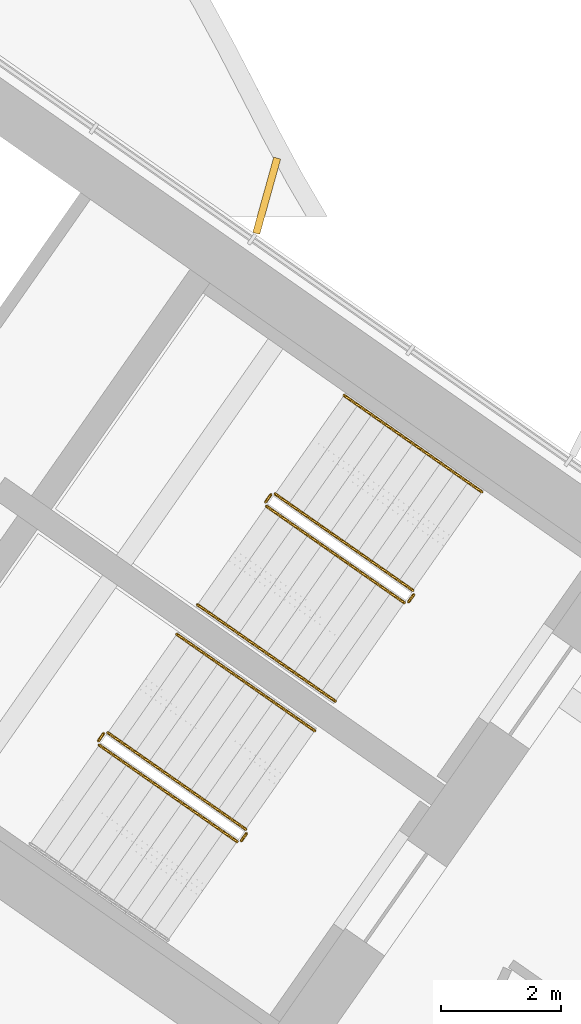
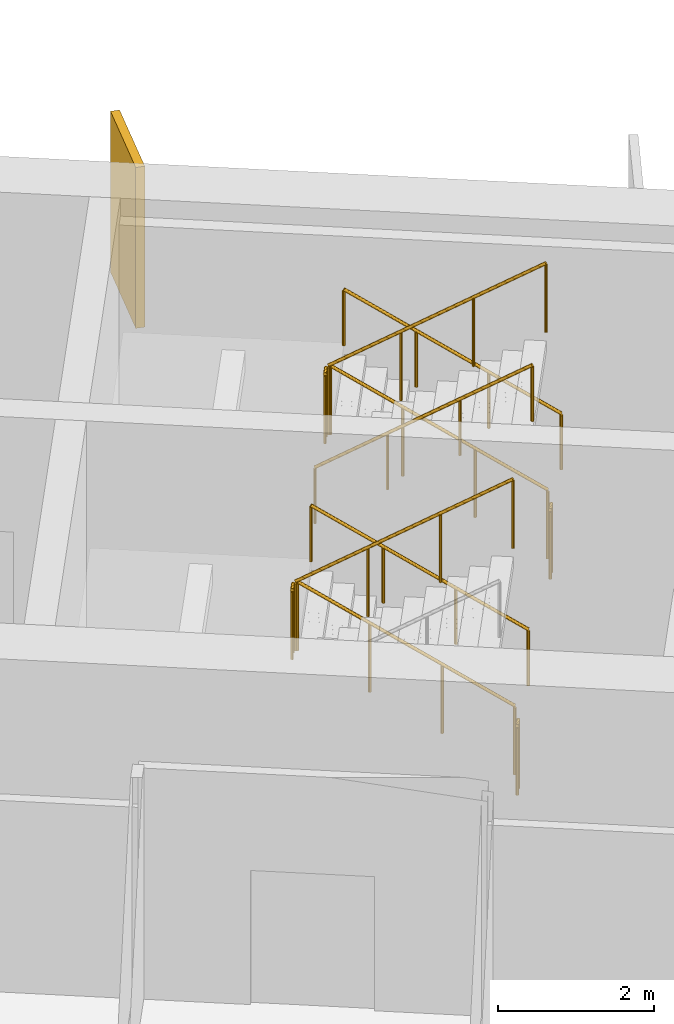
# One storey, part 22 of 23: 11 railings, 1 shading device.
"""IFC4 building model written with IfcOpenShell, lengths in metres."""

from ifc_helpers import new_model, si_unit, direction, frame, origin, origin_2d, place, context, subcontext, project, spatial, rectangle, circle, extrude, material, layer, layer_set, type_object, element, save


model = new_model("IFC4")

# Units and contexts
model_context = context("Model", 3, precision=1e-05, world=origin(), true_north=direction((0.0, 1.0)))
body_context = subcontext(model_context, "Body", "Model", "MODEL_VIEW")
ifc_project = project(units=[si_unit("LENGTHUNIT", "METRE"), si_unit("AREAUNIT", "SQUARE_METRE"), si_unit("VOLUMEUNIT", "CUBIC_METRE"), si_unit("PLANEANGLEUNIT", "RADIAN"), si_unit("MASSUNIT", "GRAM", prefix="KILO")], contexts=[model_context])

# Site, building, storey
site_placement = place(None, origin())
site = spatial("IfcSite", under=ifc_project, at=site_placement, CompositionType="ELEMENT")
building_placement = place(site_placement, origin())
building = spatial("IfcBuilding", under=site, at=building_placement, Name="Tel Ilan Convention Tower", CompositionType="ELEMENT")
storey_placement = place(building_placement, frame((0.0, 0.0, 194.39990234375)))
storey = spatial("IfcBuildingStorey", under=building, at=storey_placement, Name="L45", CompositionType="ELEMENT", Elevation=194.39990234375)

# Shading device
ifc_material_1 = material(Name="Aluminium, bronze anodised", Category="aluminium")
ifc_layer = layer(ifc_material_1, 0.1201171875)
ifc_layer_set = layer_set([ifc_layer], Name="FIN BRONZE 1300x120")
shading_device_type = type_object("IfcShadingDeviceType", Name="FIN BRONZE 1300x120", PredefinedType="USERDEFINED", material=ifc_layer_set)
shading_device_placement = place(storey_placement, frame((21.246337890625, -1.286865234375, 1.10009765625), z_axis=(0.0, 0.0, 1.0), x_axis=(0.268172612768, 0.963370878614, 0.0)))
element("IfcShadingDevice", 1, at=shading_device_placement, inside=storey, type_object=shading_device_type, Name="FIN", ObjectType="FIN", PredefinedType="USERDEFINED", context=body_context, shape_type="SweptSolid", body=[
    extrude(rectangle(XDim=1.300048828125, YDim=0.1201171875, at=origin_2d()), origin(), (0.0, 0.0, 1.0), 2.52001953125),
])

# Railings
ifc_material_2 = material(Name="Stainless Steel Grade 316", Category="steel")
railing_type_1 = type_object("IfcRailingType", Name="Stainless Steel Stair Guard 1100 mm", PredefinedType="GUARDRAIL", material=ifc_material_2)
railing_1_placement = place(storey_placement, frame((23.6787109375, -7.8515625, 0.177490234375)))
element("IfcRailing", 2, at=railing_1_placement, inside=storey, type_object=railing_type_1, Name="L45 S3 stair guard 1", PredefinedType="GUARDRAIL", context=body_context, shape_type="SweptSolid", body=[
    extrude(circle(Radius=0.02392578125, at=origin_2d()), frame((0.0, 0.0, 1.076171875), z_axis=(-0.692084706163, 0.484621375041, 0.534940073605), x_axis=(-0.573591086599, -0.819141785879, 0.0)), (0.0, 0.0, 1.0), 3.313720703125),
    extrude(circle(Radius=0.02099609375, at=origin_2d()), origin(), (0.0, 0.0, 1.0), 1.052001953125),
    extrude(circle(Radius=0.02099609375, at=origin_2d()), frame((-0.764404296875, 0.535400390625, 0.5908203125)), (0.0, 0.0, 1.0), 1.052001953125),
    extrude(circle(Radius=0.02099609375, at=origin_2d()), frame((-1.529052734375, 1.070556640625, 1.181884765625)), (0.0, 0.0, 1.0), 1.052001953125),
    extrude(circle(Radius=0.02099609375, at=origin_2d()), frame((-2.29345703125, 1.60595703125, 1.772705078125)), (0.0, 0.0, 1.0), 1.052001953125),
])
railing_2_placement = place(storey_placement, frame((21.3154296875, -6.2578125, 1.9501953125)))
element("IfcRailing", 3, at=railing_2_placement, inside=storey, type_object=railing_type_1, Name="L45 S3 stair guard 2", PredefinedType="GUARDRAIL", context=body_context, shape_type="SweptSolid", body=[
    extrude(circle(Radius=0.02392578125, at=origin_2d()), frame((0.0, 0.0, 1.076171875), z_axis=(-0.573353020881, -0.819308436089, 0.0), x_axis=(0.819308436089, -0.573353020881, 0.0)), (0.0, 0.0, 1.0), 0.14990234375),
    extrude(circle(Radius=0.02099609375, at=origin_2d()), origin(), (0.0, 0.0, 1.0), 1.052001953125),
    extrude(circle(Radius=0.02099609375, at=origin_2d()), frame((-0.0859375, -0.122802734375, 0.0)), (0.0, 0.0, 1.0), 1.052001953125),
])
railing_3_placement = place(storey_placement, frame((21.24169921875, -6.4501953125, 2.12744140625)))
element("IfcRailing", 4, at=railing_3_placement, inside=storey, type_object=railing_type_1, Name="L45 S3 stair guard 3", PredefinedType="GUARDRAIL", context=body_context, shape_type="SweptSolid", body=[
    extrude(circle(Radius=0.02392578125, at=origin_2d()), frame((0.0, 0.0, 1.076171875), z_axis=(0.692098378994, -0.484653031975, 0.534893701956), x_axis=(0.573608623498, 0.819129505664, 0.0)), (0.0, 0.0, 1.0), 3.314208984375),
    extrude(circle(Radius=0.02099609375, at=origin_2d()), origin(), (0.0, 0.0, 1.0), 1.052001953125),
    extrude(circle(Radius=0.02099609375, at=origin_2d()), frame((0.7646484375, -0.535400390625, 0.5908203125)), (0.0, 0.0, 1.0), 1.052001953125),
    extrude(circle(Radius=0.02099609375, at=origin_2d()), frame((1.529052734375, -1.07080078125, 1.181884765625)), (0.0, 0.0, 1.0), 1.052001953125),
    extrude(circle(Radius=0.02099609375, at=origin_2d()), frame((2.293701171875, -1.606201171875, 1.772705078125)), (0.0, 0.0, 1.0), 1.052001953125),
])
railing_4_placement = place(storey_placement, frame((23.691162109375, -7.921142578125, 0.0)))
element("IfcRailing", 5, at=railing_4_placement, inside=storey, type_object=railing_type_1, Name="L45 S3 stair guard 4", PredefinedType="GUARDRAIL", context=body_context, shape_type="SweptSolid", body=[
    extrude(circle(Radius=0.02392578125, at=origin_2d()), frame((0.0, 0.0, 1.076171875), z_axis=(-0.574444878118, -0.818543268254, 0.0), x_axis=(0.818543268254, -0.574444878118, 0.0)), (0.0, 0.0, 1.0), 0.150146484375),
    extrude(circle(Radius=0.02099609375, at=origin_2d()), origin(), (0.0, 0.0, 1.0), 1.052001953125),
    extrude(circle(Radius=0.02099609375, at=origin_2d()), frame((-0.086181640625, -0.122802734375, 0.0)), (0.0, 0.0, 1.0), 1.052001953125),
])
railing_5_placement = place(storey_placement, frame((20.89697265625, -11.824462890625, 0.177490234375)))
element("IfcRailing", 6, at=railing_5_placement, inside=storey, type_object=railing_type_1, Name="L45 S4 stair guard 1", PredefinedType="GUARDRAIL", context=body_context, shape_type="SweptSolid", body=[
    extrude(circle(Radius=0.02392578125, at=origin_2d()), frame((0.0, 0.0, 1.076171875), z_axis=(-0.692123088272, 0.484596665743, 0.534912798717), x_axis=(-0.573550118428, -0.819170471667, 0.0)), (0.0, 0.0, 1.0), 3.31396484375),
    extrude(circle(Radius=0.02099609375, at=origin_2d()), origin(), (0.0, 0.0, 1.0), 1.052001953125),
    extrude(circle(Radius=0.02099609375, at=origin_2d()), frame((-0.7646484375, 0.535400390625, 0.5908203125)), (0.0, 0.0, 1.0), 1.052001953125),
    extrude(circle(Radius=0.02099609375, at=origin_2d()), frame((-1.529052734375, 1.070556640625, 1.181884765625)), (0.0, 0.0, 1.0), 1.052001953125),
    extrude(circle(Radius=0.02099609375, at=origin_2d()), frame((-2.293701171875, 1.60595703125, 1.772705078125)), (0.0, 0.0, 1.0), 1.052001953125),
])
railing_6_placement = place(storey_placement, frame((18.53369140625, -10.230712890625, 1.9501953125)))
element("IfcRailing", 7, at=railing_6_placement, inside=storey, type_object=railing_type_1, Name="L45 S4 stair guard 2", PredefinedType="GUARDRAIL", context=body_context, shape_type="SweptSolid", body=[
    extrude(circle(Radius=0.02392578125, at=origin_2d()), frame((0.0, 0.0, 1.076171875), z_axis=(-0.573353020881, -0.819308436089, 0.0), x_axis=(0.819308436089, -0.573353020881, 0.0)), (0.0, 0.0, 1.0), 0.14990234375),
    extrude(circle(Radius=0.02099609375, at=origin_2d()), origin(), (0.0, 0.0, 1.0), 1.052001953125),
    extrude(circle(Radius=0.02099609375, at=origin_2d()), frame((-0.0859375, -0.122802734375, 0.0)), (0.0, 0.0, 1.0), 1.052001953125),
])
railing_7_placement = place(storey_placement, frame((18.4599609375, -10.423095703125, 2.12744140625)))
element("IfcRailing", 8, at=railing_7_placement, inside=storey, type_object=railing_type_1, Name="L45 S4 stair guard 3", PredefinedType="GUARDRAIL", context=body_context, shape_type="SweptSolid", body=[
    extrude(circle(Radius=0.02392578125, at=origin_2d()), frame((0.0, 0.0, 1.076171875), z_axis=(0.692098378994, -0.484653031975, 0.534893701956), x_axis=(0.573608623498, 0.819129505664, 0.0)), (0.0, 0.0, 1.0), 3.314208984375),
    extrude(circle(Radius=0.02099609375, at=origin_2d()), origin(), (0.0, 0.0, 1.0), 1.052001953125),
    extrude(circle(Radius=0.02099609375, at=origin_2d()), frame((0.7646484375, -0.535400390625, 0.5908203125)), (0.0, 0.0, 1.0), 1.052001953125),
    extrude(circle(Radius=0.02099609375, at=origin_2d()), frame((1.529052734375, -1.07080078125, 1.181884765625)), (0.0, 0.0, 1.0), 1.052001953125),
    extrude(circle(Radius=0.02099609375, at=origin_2d()), frame((2.293701171875, -1.606201171875, 1.772705078125)), (0.0, 0.0, 1.0), 1.052001953125),
])
railing_8_placement = place(storey_placement, frame((20.9091796875, -11.89404296875, 0.0)))
element("IfcRailing", 9, at=railing_8_placement, inside=storey, type_object=railing_type_1, Name="L45 S4 stair guard 4", PredefinedType="GUARDRAIL", context=body_context, shape_type="SweptSolid", body=[
    extrude(circle(Radius=0.02392578125, at=origin_2d()), frame((0.0, 0.0, 1.076171875), z_axis=(-0.573353020881, -0.819308436089, 0.0), x_axis=(0.819308436089, -0.573353020881, 0.0)), (0.0, 0.0, 1.0), 0.14990234375),
    extrude(circle(Radius=0.02099609375, at=origin_2d()), origin(), (0.0, 0.0, 1.0), 1.052001953125),
    extrude(circle(Radius=0.02099609375, at=origin_2d()), frame((-0.0859375, -0.122802734375, 0.0)), (0.0, 0.0, 1.0), 1.052001953125),
])
ifc_material_3 = material(Name="Stainless Steel Grade 316", Category="steel")
railing_type_2 = type_object("IfcRailingType", Name="Stainless Steel Stair Handrail 900 mm", PredefinedType="HANDRAIL", material=ifc_material_3)
railing_9_placement = place(storey_placement, frame((24.825927734375, -6.213134765625, 0.177490234375)))
element("IfcRailing", 10, at=railing_9_placement, inside=storey, type_object=railing_type_2, Name="L45 S3 stair handrail 1", PredefinedType="HANDRAIL", context=body_context, shape_type="SweptSolid", body=[
    extrude(circle(Radius=0.02392578125, at=origin_2d()), frame((0.0, 0.0, 0.8759765625), z_axis=(-0.692123088272, 0.484596665743, 0.534912798717), x_axis=(-0.573550118428, -0.819170471667, 0.0)), (0.0, 0.0, 1.0), 3.31396484375),
    extrude(circle(Radius=0.02099609375, at=origin_2d()), origin(), (0.0, 0.0, 1.0), 0.851806640625),
    extrude(circle(Radius=0.02099609375, at=origin_2d()), frame((-0.7646484375, 0.535400390625, 0.5908203125)), (0.0, 0.0, 1.0), 0.851806640625),
    extrude(circle(Radius=0.02099609375, at=origin_2d()), frame((-1.529052734375, 1.070556640625, 1.181884765625)), (0.0, 0.0, 1.0), 0.851806640625),
    extrude(circle(Radius=0.02099609375, at=origin_2d()), frame((-2.293701171875, 1.60595703125, 1.772705078125)), (0.0, 0.0, 1.0), 0.851806640625),
])
railing_10_placement = place(storey_placement, frame((20.0947265625, -8.088623046875, 2.12744140625)))
element("IfcRailing", 11, at=railing_10_placement, inside=storey, type_object=railing_type_2, Name="L45 S3 stair handrail 2", PredefinedType="HANDRAIL", context=body_context, shape_type="SweptSolid", body=[
    extrude(circle(Radius=0.02392578125, at=origin_2d()), frame((0.0, 0.0, 0.8759765625), z_axis=(0.692084706163, -0.484621375041, 0.534940073605), x_axis=(0.573591086599, 0.819141785879, 0.0)), (0.0, 0.0, 1.0), 3.313720703125),
    extrude(circle(Radius=0.02099609375, at=origin_2d()), origin(), (0.0, 0.0, 1.0), 0.851806640625),
    extrude(circle(Radius=0.02099609375, at=origin_2d()), frame((0.764404296875, -0.535400390625, 0.5908203125)), (0.0, 0.0, 1.0), 0.851806640625),
    extrude(circle(Radius=0.02099609375, at=origin_2d()), frame((1.529052734375, -1.070556640625, 1.181884765625)), (0.0, 0.0, 1.0), 0.851806640625),
    extrude(circle(Radius=0.02099609375, at=origin_2d()), frame((2.29345703125, -1.60595703125, 1.772705078125)), (0.0, 0.0, 1.0), 0.851806640625),
])
railing_11_placement = place(storey_placement, frame((22.044189453125, -10.18603515625, 0.177490234375)))
element("IfcRailing", 12, at=railing_11_placement, inside=storey, type_object=railing_type_2, Name="L45 S4 stair handrail 1", PredefinedType="HANDRAIL", context=body_context, shape_type="SweptSolid", body=[
    extrude(circle(Radius=0.02392578125, at=origin_2d()), frame((0.0, 0.0, 0.8759765625), z_axis=(-0.692123088272, 0.484596665743, 0.534912798717), x_axis=(-0.573550118428, -0.819170471667, 0.0)), (0.0, 0.0, 1.0), 3.31396484375),
    extrude(circle(Radius=0.02099609375, at=origin_2d()), origin(), (0.0, 0.0, 1.0), 0.851806640625),
    extrude(circle(Radius=0.02099609375, at=origin_2d()), frame((-0.7646484375, 0.535400390625, 0.5908203125)), (0.0, 0.0, 1.0), 0.851806640625),
    extrude(circle(Radius=0.02099609375, at=origin_2d()), frame((-1.529052734375, 1.070556640625, 1.181884765625)), (0.0, 0.0, 1.0), 0.851806640625),
    extrude(circle(Radius=0.02099609375, at=origin_2d()), frame((-2.293701171875, 1.60595703125, 1.772705078125)), (0.0, 0.0, 1.0), 0.851806640625),
])

save(model, "model.ifc")
